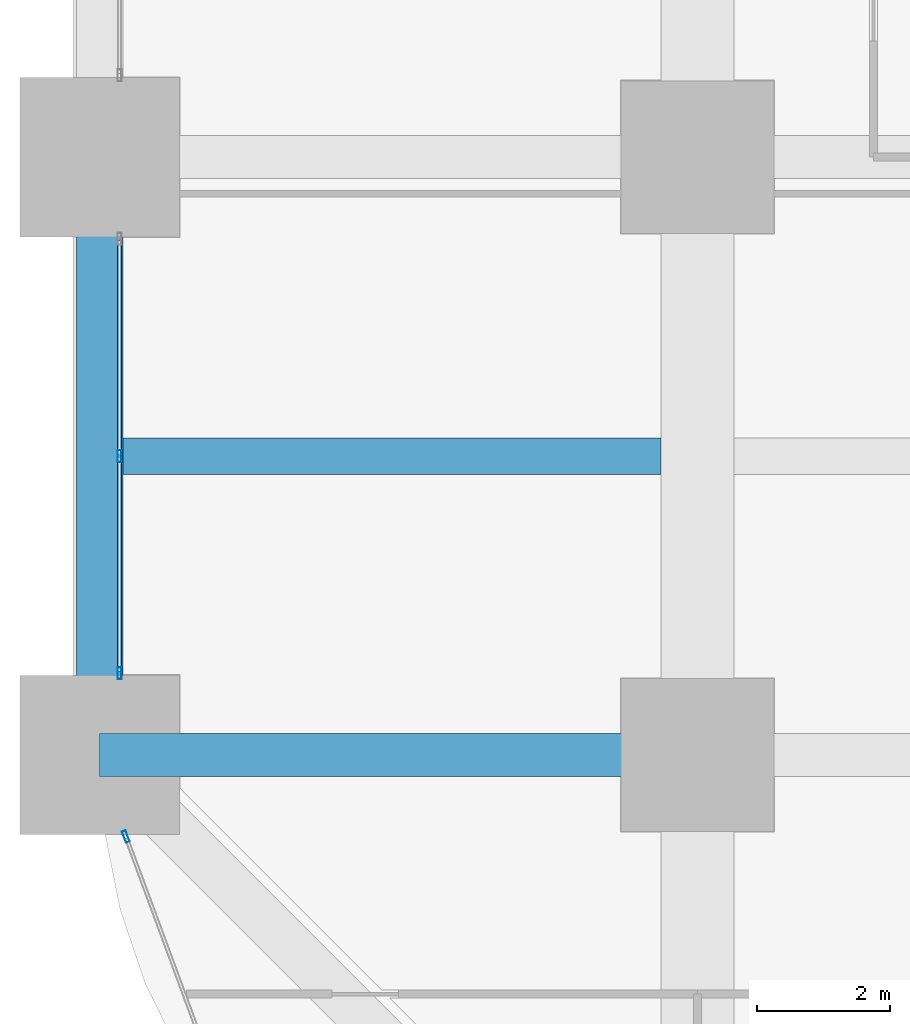
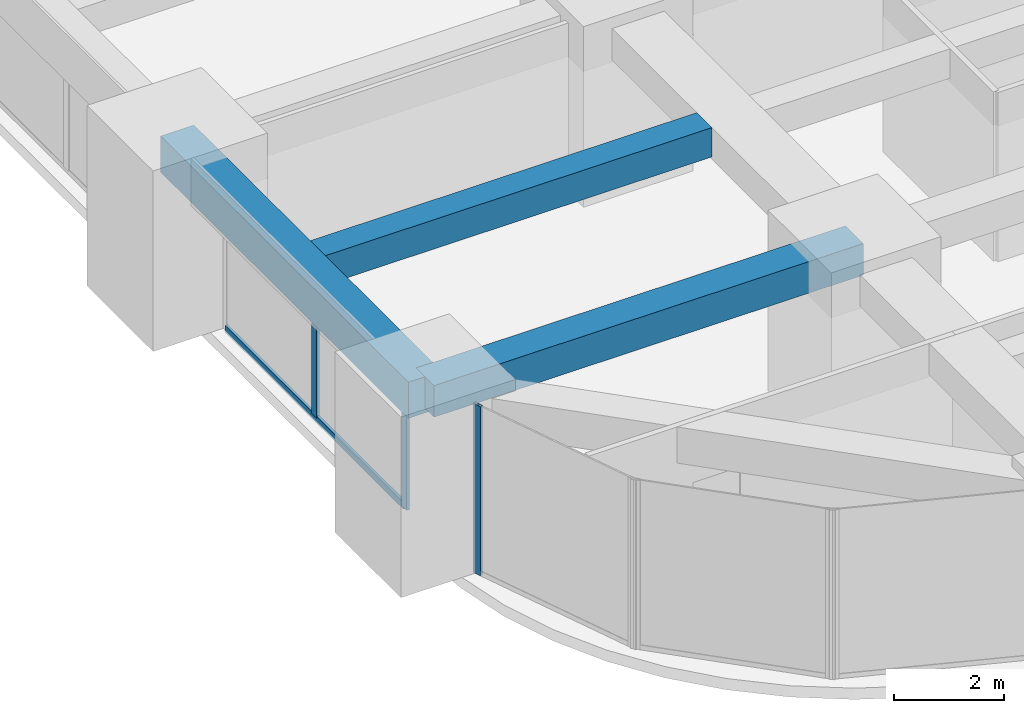
# One storey, part 4 of 45: 4 members, 3 beams, 2 elements without a shape of their own.
"""IFC4 building model written with IfcOpenShell, lengths in metres."""

import ifcopenshell
import ifcopenshell.guid

model = None  # the IFC model being written
_history = None  # IfcOwnerHistory: only IFC2X3 demands one
_inside = {}  # id of a spatial element -> (the spatial element, [elements in it])
_under = {}  # id of a project, library or spatial element -> (it, [spatial elements below it])
_declared = {}  # id of a project -> (the project, [libraries it declares])
_typed = {}  # id of a type object -> (the type object, [elements of that type])
_made_of = {}  # id of a material, layer set ... -> (it, [elements and type objects made of it])


def new_model(schema):
    """Start an empty IFC model of exactly this schema.

    Asked for "IFC4X3", IfcOpenShell would pick the latest addendum, in which some entities
    have other attributes; the version numbers below select the first issue.
    IFC2X3 requires an IfcOwnerHistory on every rooted entity: one is made here for all.
    """
    global model, _history
    if schema == "IFC4X3":
        model = ifcopenshell.file(schema_version=(4, 3, 0, 0))
    else:
        model = ifcopenshell.file(schema=schema)
    _inside.clear()
    _under.clear()
    _declared.clear()
    _typed.clear()
    _made_of.clear()
    _history = None
    if model.schema == "IFC2X3":
        org = make("IfcOrganization", Name="unknown")
        user = make(
            "IfcPersonAndOrganization",
            ThePerson=make("IfcPerson", FamilyName="unknown"),
            TheOrganization=org,
        )
        app = make(
            "IfcApplication",
            ApplicationDeveloper=org,
            Version="unknown",
            ApplicationFullName="unknown",
            ApplicationIdentifier="unknown",
        )
        _history = make(
            "IfcOwnerHistory",
            OwningUser=user,
            OwningApplication=app,
            ChangeAction="ADDED",
            CreationDate=0,
        )
    return model


def make(cls, **values):
    """One entity of the class cls with the attributes given. An attribute that is None is left unset."""
    return model.create_entity(
        cls, **{name: value for name, value in values.items() if value is not None}
    )


def rooted(cls, **values):
    """An entity with a GlobalId (a new one), such as an element, a storey or a relation."""
    return make(cls, GlobalId=ifcopenshell.guid.new(), OwnerHistory=_history, **values)


def si_unit(unit_type, name, prefix=None):
    """IfcSIUnit, for example si_unit("LENGTHUNIT", "METRE", prefix="MILLI")."""
    return make("IfcSIUnit", UnitType=unit_type, Prefix=prefix, Name=name)


def assignment(units):
    """IfcUnitAssignment: the units of a project."""
    return None if units is None else make("IfcUnitAssignment", Units=units)


def point(xyz):
    """IfcCartesianPoint."""
    return None if xyz is None else make("IfcCartesianPoint", Coordinates=xyz)


def direction(xyz):
    """IfcDirection."""
    return None if xyz is None else make("IfcDirection", DirectionRatios=xyz)


def frame(location, z_axis=None, x_axis=None):
    """IfcAxis2Placement3D, a coordinate frame: its origin and axes. An axis left out is left unset."""
    return make(
        "IfcAxis2Placement3D",
        Location=point(location),
        Axis=direction(z_axis),
        RefDirection=direction(x_axis),
    )


def frame_2d(location, x_axis=None):
    """IfcAxis2Placement2D, a coordinate frame in the plane: its origin and x axis."""
    return make(
        "IfcAxis2Placement2D", Location=point(location), RefDirection=direction(x_axis)
    )


def origin():
    """The frame at (0, 0, 0) with its axes left unset."""
    return frame((0.0, 0.0, 0.0))


def origin_2d():
    """The frame at (0, 0) in the plane with its x axis left unset."""
    return frame_2d((0.0, 0.0))


def place(relative_to, where):
    """IfcLocalPlacement: puts the frame where relative to a parent placement (None: the world)."""
    return make(
        "IfcLocalPlacement", PlacementRelTo=relative_to, RelativePlacement=where
    )


def context(
    kind, dimensions, precision=None, world=None, true_north=None, identifier=None
):
    """IfcGeometricRepresentationContext, for example the 3D "Model" context."""
    return make(
        "IfcGeometricRepresentationContext",
        ContextIdentifier=identifier,
        ContextType=kind,
        CoordinateSpaceDimension=dimensions,
        Precision=precision,
        WorldCoordinateSystem=world,
        TrueNorth=true_north,
    )


def subcontext(parent, identifier, kind, view, scale=None):
    """IfcGeometricRepresentationSubContext, for example "Body" below "Model"."""
    return make(
        "IfcGeometricRepresentationSubContext",
        ContextIdentifier=identifier,
        ContextType=kind,
        ParentContext=parent,
        TargetScale=scale,
        TargetView=view,
    )


def project(units=None, contexts=None):
    """IfcProject with its units and contexts."""
    return rooted(
        "IfcProject",
        Name="project",
        RepresentationContexts=contexts,
        UnitsInContext=assignment(units),
    )


def spatial(cls, under=None, at=None, **own):
    """A site, building, storey or space (cls), placed at a placement, below another one or the project."""
    s = rooted(cls, ObjectPlacement=at, **own)
    if under is not None:
        _under.setdefault(under.id(), (under, []))[1].append(s)
    return s


def profile(cls, at=None, kind="AREA", **sizes):
    """A parametric profile (cls). Its sizes go by their IFC names, for example OverallWidth=200.0."""
    return make(cls, ProfileType=kind, Position=at, **sizes)


def rectangle(**sizes):
    """IfcRectangleProfileDef."""
    return profile("IfcRectangleProfileDef", **sizes)


def hollow_rectangle(**sizes):
    """IfcRectangleHollowProfileDef."""
    return profile("IfcRectangleHollowProfileDef", **sizes)


def extrude(swept, where, along, depth):
    """IfcExtrudedAreaSolid: the profile swept, set in the frame where, extruded along a direction by depth."""
    return make(
        "IfcExtrudedAreaSolid",
        SweptArea=swept,
        Position=where,
        ExtrudedDirection=direction(along),
        Depth=depth,
    )


def shape(context_of_items, identifier, shape_type, items):
    """IfcShapeRepresentation: the items that make up one representation, for example the "Body"."""
    return make(
        "IfcShapeRepresentation",
        ContextOfItems=context_of_items,
        RepresentationIdentifier=identifier,
        RepresentationType=shape_type,
        Items=items,
    )


def material(Name=None, Category=None):
    """IfcMaterial."""
    return make("IfcMaterial", Name=Name, Category=Category)


def material_profile(
    of_material, cross_section, Name=None, Category=None, Priority=None
):
    """IfcMaterialProfile: a cross section and its material."""
    return make(
        "IfcMaterialProfile",
        Name=Name,
        Material=of_material,
        Profile=cross_section,
        Priority=Priority,
        Category=Category,
    )


def profile_set(profiles, Name=None, composite=None):
    """IfcMaterialProfileSet."""
    return make(
        "IfcMaterialProfileSet",
        Name=Name,
        MaterialProfiles=profiles,
        CompositeProfile=composite,
    )


def made_of(thing, what):
    """Note that an element or type object is made of a material, layer set ...; save() writes the relation."""
    if what is not None:
        _made_of.setdefault(what.id(), (what, []))[1].append(thing)
    return thing


def type_object(cls, material=None, **own):
    """A type object (cls), such as IfcWallType, which elements share."""
    return made_of(rooted(cls, **own), material)


def element(
    cls,
    number,
    at=None,
    inside=None,
    cuts=None,
    type_object=None,
    material=None,
    context=None,
    identifier="Body",
    shape_type=None,
    held_by="IfcProductDefinitionShape",
    body=None,
    shapes=None,
    **own,
):
    """One element of the class cls, such as IfcWall. Its Tag is "e" and its number.

    at: its placement. inside: the storey or other place that contains it. cuts: it is an
    opening in that element (IfcRelVoidsElement). A single representation is given by context,
    identifier, shape_type and body (its items); several are given by shapes. held_by: the class
    of the entity that holds the representations. save() writes the other relations.
    """
    e = rooted(cls, Tag="e%d" % number, ObjectPlacement=at, **own)
    if body is not None:
        shapes = [shape(context, identifier, shape_type, body)]
    if shapes is not None:
        e.Representation = make(held_by, Representations=shapes)
    if inside is not None:
        _inside.setdefault(inside.id(), (inside, []))[1].append(e)
    if cuts is not None:
        rooted(
            "IfcRelVoidsElement", RelatingBuildingElement=cuts, RelatedOpeningElement=e
        )
    if type_object is not None:
        _typed.setdefault(type_object.id(), (type_object, []))[1].append(e)
    return made_of(e, material)


def aggregate(whole, parts):
    """IfcRelAggregates: a whole, such as a stair, and the parts it consists of."""
    return rooted("IfcRelAggregates", RelatingObject=whole, RelatedObjects=parts)


def save(model, path):
    """Write the relations noted so far, then the file.

    IfcRelAggregates (storeys below a building ...), IfcRelContainedInSpatialStructure (elements
    in a storey), IfcRelDefinesByType, IfcRelAssociatesMaterial and IfcRelDeclares: one each for
    every whole, place, type object, material and project.
    """
    for whole, parts in _under.values():
        aggregate(whole, parts)
    for where, things in _inside.values():
        rooted(
            "IfcRelContainedInSpatialStructure",
            RelatedElements=things,
            RelatingStructure=where,
        )
    for kind, things in _typed.values():
        rooted("IfcRelDefinesByType", RelatedObjects=things, RelatingType=kind)
    for what, things in _made_of.values():
        rooted("IfcRelAssociatesMaterial", RelatedObjects=things, RelatingMaterial=what)
    for by, libraries in _declared.values():
        rooted("IfcRelDeclares", RelatingContext=by, RelatedDefinitions=libraries)
    model.write(path)


model = new_model("IFC4")

# Units and contexts
model_context = context("Model", 3, precision=1e-05, world=origin(), true_north=direction((0.0, 1.0)))
body_context = subcontext(model_context, "Body", "Model", "MODEL_VIEW")
ifc_project = project(units=[si_unit("LENGTHUNIT", "METRE"), si_unit("AREAUNIT", "SQUARE_METRE"), si_unit("VOLUMEUNIT", "CUBIC_METRE"), si_unit("PLANEANGLEUNIT", "RADIAN"), si_unit("MASSUNIT", "GRAM", prefix="KILO")], contexts=[model_context])

# Site, building, storey
site_placement = place(None, origin())
site = spatial("IfcSite", under=ifc_project, at=site_placement, CompositionType="ELEMENT")
building_placement = place(site_placement, origin())
building = spatial("IfcBuilding", under=site, at=building_placement, Name="Zorevar Civic Tower", CompositionType="ELEMENT")
storey_placement = place(building_placement, frame((0.0, 0.0, 27.800048828125)))
storey = spatial("IfcBuildingStorey", under=building, at=storey_placement, Name="L06", CompositionType="ELEMENT", Elevation=27.800048828125)

# Beams
ifc_material_1 = material(Name="Concrete C50/60", Category="concrete")
ifc_material_profile_1 = material_profile(ifc_material_1, rectangle(XDim=0.550048828125, YDim=0.64990234375, at=origin_2d()), Name="RC 550x650")
ifc_profile_set_1 = profile_set([ifc_material_profile_1], Name="Concrete C50/60")
beam_type_1 = type_object("IfcBeamType", Name="Beam RC 550x650", PredefinedType="BEAM", material=ifc_profile_set_1)
beam_1_placement = place(storey_placement, frame((0.35009765625, 13.5, 3.425048828125), z_axis=(1.0, 0.0, 0.0), x_axis=(0.0, 1.0, 0.0)))
element("IfcBeam", 1, at=beam_1_placement, inside=storey, type_object=beam_type_1, Name="Secondary beam L07", PredefinedType="BEAM", context=body_context, shape_type="SweptSolid", body=[
    extrude(rectangle(XDim=0.550048828125, YDim=0.64990234375, at=origin_2d()), origin(), (0.0, 0.0, 1.0), 8.099853515625),
])
ifc_material_2 = material(Name="Concrete C50/60", Category="concrete")
ifc_material_profile_2 = material_profile(ifc_material_2, rectangle(XDim=0.64990234375, YDim=0.699951171875, at=origin_2d()), Name="RC 650x700")
ifc_profile_set_2 = profile_set([ifc_material_profile_2], Name="Concrete C50/60")
beam_type_2 = type_object("IfcBeamType", Name="Beam RC 650x700", PredefinedType="BEAM", material=ifc_profile_set_2)
beam_2_placement = place(storey_placement, frame((0.0, 9.0, 3.39990234375), z_axis=(1.0, 0.0, 0.0), x_axis=(0.0, 1.0, 0.0)))
element("IfcBeam", 2, at=beam_2_placement, inside=storey, type_object=beam_type_2, Name="Girder L07", PredefinedType="BEAM", context=body_context, shape_type="SweptSolid", body=[
    extrude(rectangle(XDim=0.64990234375, YDim=0.699951171875, at=origin_2d()), origin(), (0.0, 0.0, 1.0), 9.0),
])

# Curtain wall, members
ifc_material_3 = material(Name="Dark grey solar-control glass in black aluminium frame", Category="aluminium")
curtain_wall_type = type_object("IfcCurtainWallType", Name="Curtain wall CW2 low zone", PredefinedType="NOTDEFINED", material=ifc_material_3)
curtain_wall_1_placement = place(storey_placement, origin())
curtain_wall_1 = element("IfcCurtainWall", 3, at=curtain_wall_1_placement, inside=storey, type_object=curtain_wall_type, Name="CW2 L06", PredefinedType="NOTDEFINED")
ifc_material_4 = material(Name="Aluminium, black anodised", Category="aluminium")
ifc_material_profile_3 = material_profile(ifc_material_4, hollow_rectangle(XDim=0.06005859375, YDim=0.179931640625, WallThickness=0.00390625, at=origin_2d()), Name="AL 180x60x4")
ifc_profile_set_3 = profile_set([ifc_material_profile_3], Name="Aluminium, black anodised")
member_type_1 = type_object("IfcMemberType", Name="CW2 mullion AL 180x60x4", PredefinedType="MULLION", material=ifc_profile_set_3)
member_1_placement = place(storey_placement, frame((0.300048828125, 10.22998046875, 0.0), z_axis=(0.0, 0.0, 1.0), x_axis=(-1.0, 0.0, 0.0)))
member_1 = element("IfcMember", 4, at=member_1_placement, type_object=member_type_1, Name="CW2 mullion 1", PredefinedType="MULLION", context=body_context, shape_type="SweptSolid", body=[
    extrude(hollow_rectangle(XDim=0.06005859375, YDim=0.179931640625, WallThickness=0.00390625, at=origin_2d()), origin(), (0.0, 0.0, 1.0), 2.949951171875),
])
member_2_placement = place(storey_placement, frame((0.300048828125, 13.5, 0.06005859375), z_axis=(0.0, 0.0, 1.0), x_axis=(-1.0, 0.0, 0.0)))
member_2 = element("IfcMember", 5, at=member_2_placement, type_object=member_type_1, Name="CW2 mullion 2", PredefinedType="MULLION", context=body_context, shape_type="SweptSolid", body=[
    extrude(hollow_rectangle(XDim=0.06005859375, YDim=0.179931640625, WallThickness=0.00390625, at=origin_2d()), origin(), (0.0, 0.0, 1.0), 2.889892578125),
])

# Curtain wall, member
curtain_wall_2_placement = place(storey_placement, origin())
curtain_wall_2 = element("IfcCurtainWall", 6, at=curtain_wall_2_placement, inside=storey, type_object=curtain_wall_type, Name="CW2 L06", PredefinedType="NOTDEFINED")
member_3_placement = place(storey_placement, frame((0.3935546875, 7.77197265625, 0.0), z_axis=(0.0, 0.0, 1.0), x_axis=(0.937974588163, 0.346704012033, 0.0)))
member_3 = element("IfcMember", 7, at=member_3_placement, type_object=member_type_1, Name="CW2 mullion 1", PredefinedType="MULLION", context=body_context, shape_type="SweptSolid", body=[
    extrude(hollow_rectangle(XDim=0.06005859375, YDim=0.179931640625, WallThickness=0.00390625, at=origin_2d()), origin(), (0.0, 0.0, 1.0), 3.75),
])
aggregate(curtain_wall_2, [member_3])

# Member
ifc_material_5 = material(Name="Aluminium, black anodised", Category="aluminium")
ifc_material_profile_4 = material_profile(ifc_material_5, hollow_rectangle(XDim=0.06005859375, YDim=0.14990234375, WallThickness=0.00390625, at=origin_2d()), Name="AL 150x60x4")
ifc_profile_set_4 = profile_set([ifc_material_profile_4], Name="Aluminium, black anodised")
member_type_2 = type_object("IfcMemberType", Name="CW2 transom AL 150x60x4", PredefinedType="USERDEFINED", material=ifc_profile_set_4)
member_4_placement = place(storey_placement, frame((0.300048828125, 10.260009765625, 0.030029296875), z_axis=(0.0, 1.0, 0.0), x_axis=(-1.0, 0.0, 0.0)))
member_4 = element("IfcMember", 8, at=member_4_placement, type_object=member_type_2, Name="CW2 sill transom", ObjectType="TRANSOM", PredefinedType="USERDEFINED", context=body_context, shape_type="SweptSolid", body=[
    extrude(hollow_rectangle(XDim=0.06005859375, YDim=0.14990234375, WallThickness=0.00390625, at=origin_2d()), origin(), (0.0, 0.0, 1.0), 6.47998046875),
])

aggregate(curtain_wall_1, [member_1, member_2, member_4])

# Beam
ifc_material_6 = material(Name="Concrete C50/60", Category="concrete")
ifc_material_profile_5 = material_profile(ifc_material_6, rectangle(XDim=0.699951171875, YDim=0.800048828125, at=origin_2d()), Name="RC 700x800")
ifc_profile_set_5 = profile_set([ifc_material_profile_5], Name="Concrete C50/60")
beam_type_3 = type_object("IfcBeamType", Name="Edge beam RC 700x800", PredefinedType="SPANDREL", material=ifc_profile_set_5)
beam_3_placement = place(storey_placement, frame((0.0, 9.0, 3.349853515625), z_axis=(0.0, 1.0, 0.0), x_axis=(-1.0, 0.0, 0.0)))
element("IfcBeam", 9, at=beam_3_placement, inside=storey, type_object=beam_type_3, Name="Edge beam L07", PredefinedType="SPANDREL", context=body_context, shape_type="SweptSolid", body=[
    extrude(rectangle(XDim=0.699951171875, YDim=0.800048828125, at=origin_2d()), origin(), (0.0, 0.0, 1.0), 9.0),
])

save(model, "model.ifc")
